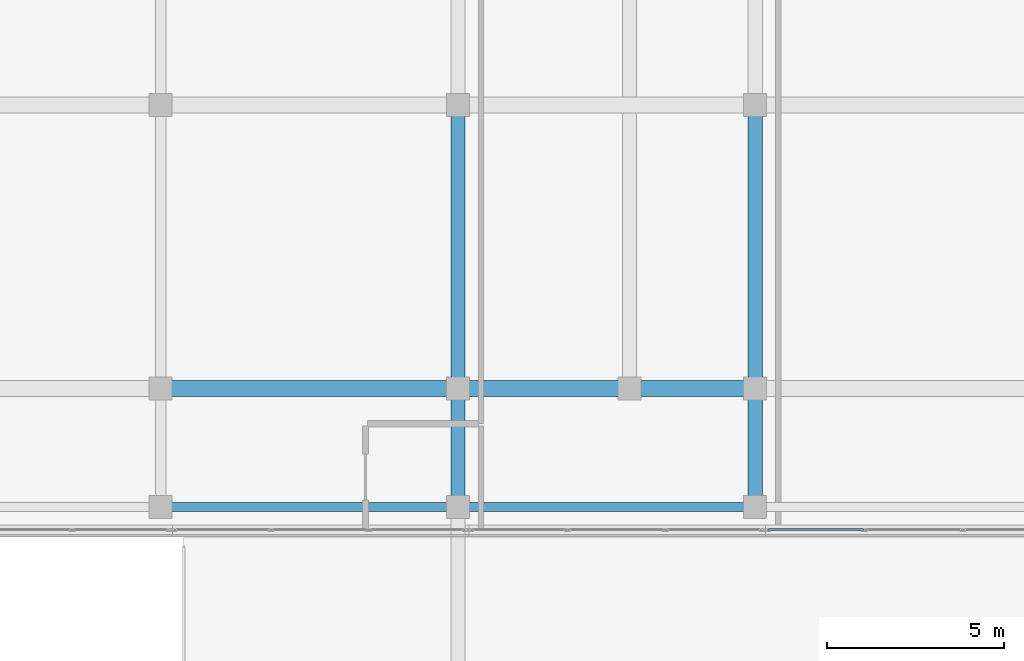
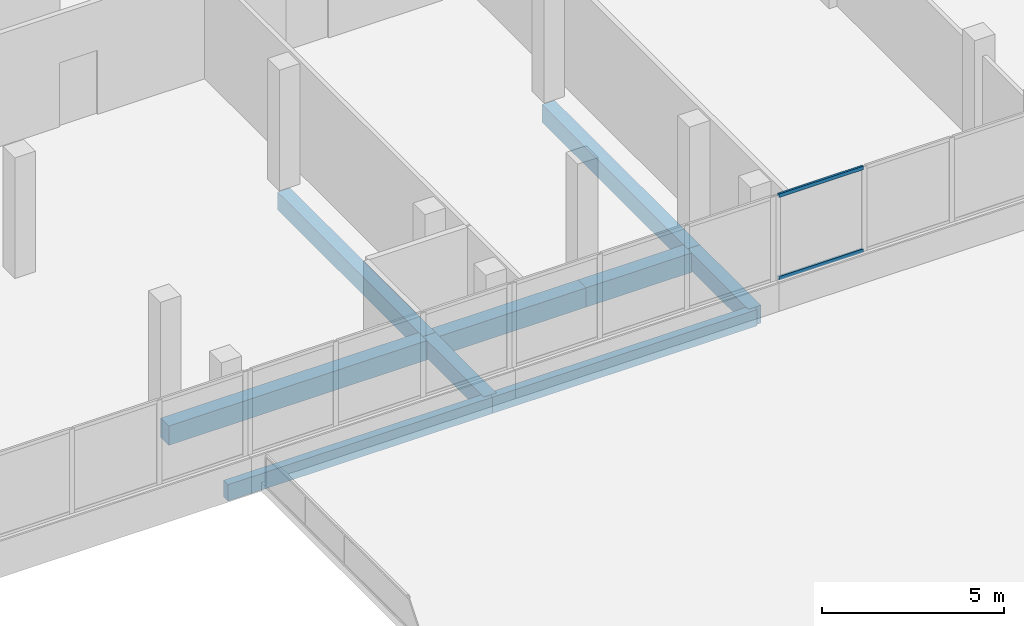
# One storey, part 48 of 76: 9 beams, 2 members, 1 element without a shape of its own.
"""IFC4 building model written with IfcOpenShell, lengths in metres."""

from ifc_helpers import new_model, si_unit, direction, frame, origin, origin_2d, place, context, subcontext, project, spatial, rectangle, hollow_rectangle, extrude, material, material_profile, profile_set, type_object, element, aggregate, save


model = new_model("IFC4")

# Units and contexts
model_context = context("Model", 3, precision=1e-05, world=origin(), true_north=direction((0.0, 1.0)))
body_context = subcontext(model_context, "Body", "Model", "MODEL_VIEW")
ifc_project = project(units=[si_unit("LENGTHUNIT", "METRE"), si_unit("AREAUNIT", "SQUARE_METRE"), si_unit("VOLUMEUNIT", "CUBIC_METRE"), si_unit("PLANEANGLEUNIT", "RADIAN"), si_unit("MASSUNIT", "GRAM", prefix="KILO")], contexts=[model_context])

# Site, building, storey
site_placement = place(None, origin())
site = spatial("IfcSite", under=ifc_project, at=site_placement, CompositionType="ELEMENT")
building_placement = place(site_placement, origin())
building = spatial("IfcBuilding", under=site, at=building_placement, Name="Selatvlak General Hospital", CompositionType="ELEMENT")
storey_placement = place(building_placement, frame((0.0, 0.0, 27.300048828125)))
storey = spatial("IfcBuildingStorey", under=building, at=storey_placement, Name="L06", CompositionType="ELEMENT", Elevation=27.300048828125)

# Beams
ifc_material_1 = material(Name="Concrete C40/50", Category="concrete")
ifc_material_profile_1 = material_profile(ifc_material_1, rectangle(XDim=0.449951171875, YDim=0.64990234375, at=origin_2d()), Name="RC-BM 450x650")
ifc_profile_set_1 = profile_set([ifc_material_profile_1], Name="Concrete C40/50")
beam_type_1 = type_object("IfcBeamType", Name="BM-G04", PredefinedType="BEAM", material=ifc_profile_set_1)
beam_1_placement = place(storey_placement, frame((148.14990234375, 92.0, -0.60009765625), z_axis=(1.0, 0.0, 0.0), x_axis=(0.0, 1.0, 0.0)))
element("IfcBeam", 1, at=beam_1_placement, inside=storey, type_object=beam_type_1, Name="Beam BMR-L06-2177", PredefinedType="BEAM", context=body_context, shape_type="SweptSolid", body=[
    extrude(rectangle(XDim=0.449951171875, YDim=0.64990234375, at=origin_2d()), origin(), (0.0, 0.0, 1.0), 8.400146484375),
])
beam_2_placement = place(storey_placement, frame((156.550048828125, 92.0, -0.60009765625), z_axis=(1.0, 0.0, 0.0), x_axis=(0.0, 1.0, 0.0)))
element("IfcBeam", 2, at=beam_2_placement, inside=storey, type_object=beam_type_1, Name="Beam BMR-L06-2178", PredefinedType="BEAM", context=body_context, shape_type="SweptSolid", body=[
    extrude(rectangle(XDim=0.449951171875, YDim=0.64990234375, at=origin_2d()), origin(), (0.0, 0.0, 1.0), 4.849853515625),
])
beam_3_placement = place(storey_placement, frame((161.39990234375, 92.0, -0.60009765625), z_axis=(1.0, 0.0, 0.0), x_axis=(0.0, 1.0, 0.0)))
element("IfcBeam", 3, at=beam_3_placement, inside=storey, type_object=beam_type_1, Name="Beam BMR-L06-2179", PredefinedType="BEAM", context=body_context, shape_type="SweptSolid", body=[
    extrude(rectangle(XDim=0.449951171875, YDim=0.64990234375, at=origin_2d()), origin(), (0.0, 0.0, 1.0), 3.550048828125),
])
ifc_material_profile_2 = material_profile(ifc_material_1, rectangle(XDim=0.39990234375, YDim=0.60009765625, at=origin_2d()), Name="RC-BM 400x600")
ifc_profile_set_2 = profile_set([ifc_material_profile_2], Name="Concrete C40/50")
beam_type_2 = type_object("IfcBeamType", Name="BM-G05", PredefinedType="BEAM", material=ifc_profile_set_2)
beam_4_placement = place(storey_placement, frame((156.550048828125, 88.64990234375, -0.574951171875), z_axis=(0.0, 1.0, 0.0), x_axis=(-1.0, 0.0, 0.0)))
element("IfcBeam", 4, at=beam_4_placement, inside=storey, type_object=beam_type_2, Name="Beam BMR-L06-2322", PredefinedType="BEAM", context=body_context, shape_type="SweptSolid", body=[
    extrude(rectangle(XDim=0.39990234375, YDim=0.60009765625, at=origin_2d()), origin(), (0.0, 0.0, 1.0), 3.35009765625),
])
beam_5_placement = place(storey_placement, frame((156.550048828125, 92.0, -0.574951171875), z_axis=(0.0, 1.0, 0.0), x_axis=(-1.0, 0.0, 0.0)))
element("IfcBeam", 5, at=beam_5_placement, inside=storey, type_object=beam_type_2, Name="Beam BMR-L06-2323", PredefinedType="BEAM", context=body_context, shape_type="SweptSolid", body=[
    extrude(rectangle(XDim=0.39990234375, YDim=0.60009765625, at=origin_2d()), origin(), (0.0, 0.0, 1.0), 8.0),
])
beam_6_placement = place(storey_placement, frame((164.949951171875, 88.64990234375, -0.574951171875), z_axis=(0.0, 1.0, 0.0), x_axis=(-1.0, 0.0, 0.0)))
element("IfcBeam", 6, at=beam_6_placement, inside=storey, type_object=beam_type_2, Name="Beam BMR-L06-2330", PredefinedType="BEAM", context=body_context, shape_type="SweptSolid", body=[
    extrude(rectangle(XDim=0.39990234375, YDim=0.60009765625, at=origin_2d()), origin(), (0.0, 0.0, 1.0), 3.35009765625),
])
beam_7_placement = place(storey_placement, frame((164.949951171875, 92.0, -0.574951171875), z_axis=(0.0, 1.0, 0.0), x_axis=(-1.0, 0.0, 0.0)))
element("IfcBeam", 7, at=beam_7_placement, inside=storey, type_object=beam_type_2, Name="Beam BMR-L06-2331", PredefinedType="BEAM", context=body_context, shape_type="SweptSolid", body=[
    extrude(rectangle(XDim=0.39990234375, YDim=0.60009765625, at=origin_2d()), origin(), (0.0, 0.0, 1.0), 8.0),
])
ifc_material_profile_3 = material_profile(ifc_material_1, rectangle(XDim=0.25, YDim=0.550048828125, at=origin_2d()), Name="RC-SP 250x550")
ifc_profile_set_3 = profile_set([ifc_material_profile_3], Name="Concrete C40/50")
beam_type_3 = type_object("IfcBeamType", Name="BM-SP2", PredefinedType="SPANDREL", material=ifc_profile_set_3)
beam_8_placement = place(storey_placement, frame((148.14990234375, 88.64990234375, -0.550048828125), z_axis=(1.0, 0.0, 0.0), x_axis=(0.0, 1.0, 0.0)))
element("IfcBeam", 8, at=beam_8_placement, inside=storey, type_object=beam_type_3, Name="Beam BMR-L06-2158", PredefinedType="SPANDREL", context=body_context, shape_type="SweptSolid", body=[
    extrude(rectangle(XDim=0.25, YDim=0.550048828125, at=origin_2d()), origin(), (0.0, 0.0, 1.0), 8.400146484375),
])
beam_9_placement = place(storey_placement, frame((156.550048828125, 88.64990234375, -0.550048828125), z_axis=(1.0, 0.0, 0.0), x_axis=(0.0, 1.0, 0.0)))
element("IfcBeam", 9, at=beam_9_placement, inside=storey, type_object=beam_type_3, Name="Beam BMR-L06-2159", PredefinedType="SPANDREL", context=body_context, shape_type="SweptSolid", body=[
    extrude(rectangle(XDim=0.25, YDim=0.550048828125, at=origin_2d()), origin(), (0.0, 0.0, 1.0), 8.39990234375),
])

# Curtain wall, members
ifc_material_2 = material(Name="Solar-control Low-E double glazing", Category="glass")
curtain_wall_type = type_object("IfcCurtainWallType", Name="CW-CW-01", PredefinedType="USERDEFINED", material=ifc_material_2)
curtain_wall_placement = place(storey_placement, origin())
curtain_wall = element("IfcCurtainWall", 10, at=curtain_wall_placement, inside=storey, type_object=curtain_wall_type, Name="Glazed facade curtain wall CW-L06-0621", ObjectType="UNITISED CURTAIN WALL", PredefinedType="USERDEFINED")
ifc_material_3 = material(Name="Dark anodised aluminium mullion", Category="aluminium")
ifc_material_profile_4 = material_profile(ifc_material_3, hollow_rectangle(XDim=0.06494140625, YDim=0.1201171875, WallThickness=0.00390625, at=origin_2d()), Name="AL-TRN 65x120x4")
ifc_profile_set_4 = profile_set([ifc_material_profile_4], Name="Dark anodised aluminium mullion")
member_type = type_object("IfcMemberType", Name="CWT-01", PredefinedType="USERDEFINED", material=ifc_profile_set_4)
member_1_placement = place(storey_placement, frame((168.007568359375, 88.0009765625, 0.972412109375), z_axis=(-1.0, 0.0, 0.0), x_axis=(0.0, -1.0, 0.0)))
member_1 = element("IfcMember", 11, at=member_1_placement, type_object=member_type, Name="CW-01 transom 3.1", ObjectType="TRANSOM", PredefinedType="USERDEFINED", context=body_context, shape_type="SweptSolid", body=[
    extrude(hollow_rectangle(XDim=0.06494140625, YDim=0.1201171875, WallThickness=0.00390625, at=origin_2d()), origin(), (0.0, 0.0, 1.0), 2.685546875),
])
member_2_placement = place(storey_placement, frame((168.007568359375, 88.0009765625, 3.74755859375), z_axis=(-1.0, 0.0, 0.0), x_axis=(0.0, -1.0, 0.0)))
member_2 = element("IfcMember", 12, at=member_2_placement, type_object=member_type, Name="CW-01 transom 3.2", ObjectType="TRANSOM", PredefinedType="USERDEFINED", context=body_context, shape_type="SweptSolid", body=[
    extrude(hollow_rectangle(XDim=0.06494140625, YDim=0.1201171875, WallThickness=0.00390625, at=origin_2d()), origin(), (0.0, 0.0, 1.0), 2.685546875),
])
aggregate(curtain_wall, [member_1, member_2])

save(model, "model.ifc")
